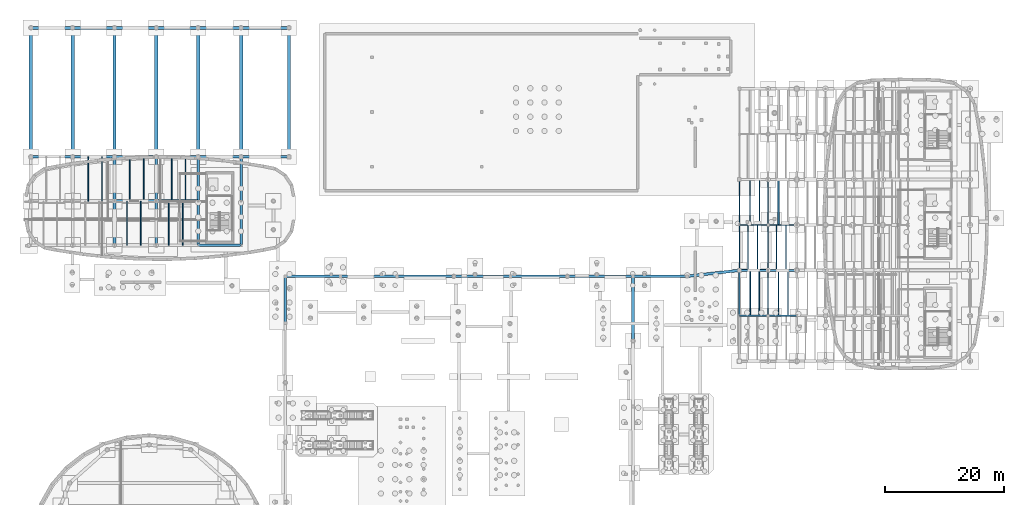
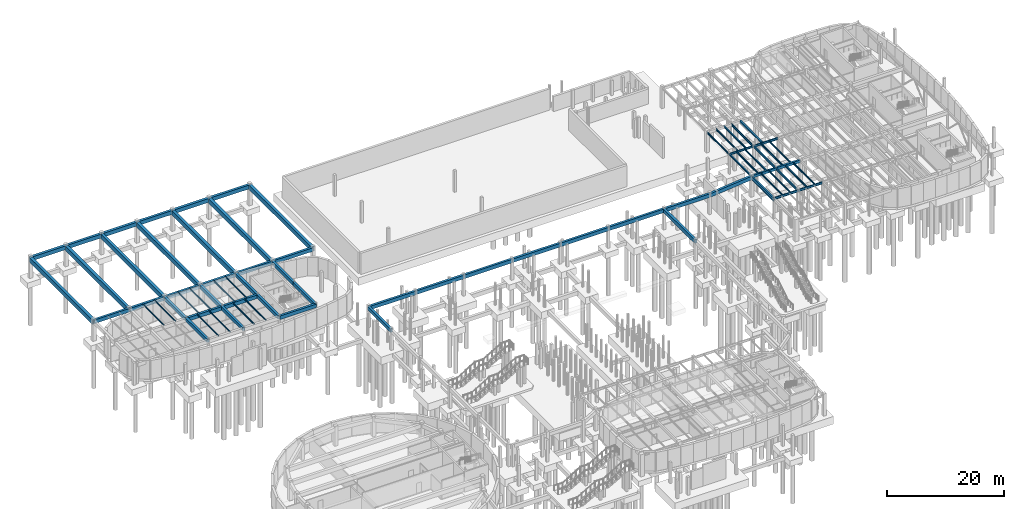
# One storey, part 28 of 45: 73 beams.
"""IFC4 building model written with IfcOpenShell, lengths in metres."""

from ifc_helpers import new_model, si_unit, direction, frame, origin, origin_2d, place, context, subcontext, project, spatial, rectangle, i_section, extrude, material, material_profile, profile_set, type_object, element, save


model = new_model("IFC4")

# Units and contexts
model_context = context("Model", 3, precision=1e-05, world=origin(), true_north=direction((0.0, 1.0)))
body_context = subcontext(model_context, "Body", "Model", "MODEL_VIEW")
ifc_project = project(units=[si_unit("LENGTHUNIT", "METRE"), si_unit("AREAUNIT", "SQUARE_METRE"), si_unit("VOLUMEUNIT", "CUBIC_METRE"), si_unit("PLANEANGLEUNIT", "RADIAN"), si_unit("MASSUNIT", "GRAM", prefix="KILO")], contexts=[model_context])

# Site, building, storey
site_placement = place(None, origin())
site = spatial("IfcSite", under=ifc_project, at=site_placement, CompositionType="ELEMENT")
building_placement = place(site_placement, origin())
building = spatial("IfcBuilding", under=site, at=building_placement, Name="Corveleigh Park Community Centre", CompositionType="ELEMENT")
storey_placement = place(building_placement, frame((0.0, 0.0, -4.199951171875)))
storey = spatial("IfcBuildingStorey", under=building, at=storey_placement, Name="B1", CompositionType="ELEMENT", Elevation=-4.199951171875)

# Beams
ifc_material_1 = material(Name="Concrete C40/50", Category="concrete")
ifc_material_profile_1 = material_profile(ifc_material_1, rectangle(XDim=0.25, YDim=0.39990234375, at=origin_2d()), Name="RC-250x400", Category="concrete")
ifc_profile_set_1 = profile_set([ifc_material_profile_1], Name="Concrete C40/50")
beam_type_1 = type_object("IfcBeamType", Name="BM-RC-250x400", PredefinedType="JOIST", material=ifc_profile_set_1)
beam_1_placement = place(storey_placement, frame((136.3759765625, 81.405029296875, 3.681884765625), z_axis=(0.0, 1.0, 0.0), x_axis=(-1.0, 0.0, 0.0)))
element("IfcBeam", 1, at=beam_1_placement, inside=storey, type_object=beam_type_1, Name="Secondary floor joist", PredefinedType="JOIST", context=body_context, shape_type="SweptSolid", body=[
    extrude(rectangle(XDim=0.25, YDim=0.39990234375, at=origin_2d()), origin(), (0.0, 0.0, 1.0), 7.590087890625),
])
ifc_material_profile_2 = material_profile(ifc_material_1, rectangle(XDim=0.324951171875, YDim=0.52490234375, at=origin_2d()), Name="RC-325x525", Category="concrete")
ifc_profile_set_2 = profile_set([ifc_material_profile_2], Name="Concrete C40/50")
beam_type_2 = type_object("IfcBeamType", Name="BM-RC-325x525", PredefinedType="BEAM", material=ifc_profile_set_2)
beam_2_placement = place(storey_placement, frame((129.804931640625, 73.800048828125, 3.619384765625), z_axis=(1.0, 0.0, 0.0), x_axis=(0.0, 1.0, 0.0)))
element("IfcBeam", 2, at=beam_2_placement, inside=storey, type_object=beam_type_2, Name="V4 Girder X", PredefinedType="BEAM", context=body_context, shape_type="SweptSolid", body=[
    extrude(rectangle(XDim=0.324951171875, YDim=0.52490234375, at=origin_2d()), origin(), (0.0, 0.0, 1.0), 4.7900390625),
])
ifc_material_profile_3 = material_profile(ifc_material_1, rectangle(XDim=0.35009765625, YDim=0.550048828125, at=origin_2d()), Name="RC-350x550", Category="concrete")
ifc_profile_set_3 = profile_set([ifc_material_profile_3], Name="Concrete C40/50")
beam_type_3 = type_object("IfcBeamType", Name="BM-RC-350x550", PredefinedType="BEAM", material=ifc_profile_set_3)
beam_3_placement = place(storey_placement, frame((134.60498046875, 73.800048828125, 3.60693359375), z_axis=(1.0, 0.0, 0.0), x_axis=(0.0, 1.0, 0.0)))
element("IfcBeam", 3, at=beam_3_placement, inside=storey, type_object=beam_type_3, Name="V4 Girder X", PredefinedType="BEAM", context=body_context, shape_type="SweptSolid", body=[
    extrude(rectangle(XDim=0.35009765625, YDim=0.550048828125, at=origin_2d()), origin(), (0.0, 0.0, 1.0), 4.7900390625),
])
ifc_material_profile_4 = material_profile(ifc_material_1, rectangle(XDim=0.449951171875, YDim=0.699951171875, at=origin_2d()), Name="RC-450x700", Category="concrete")
ifc_profile_set_4 = profile_set([ifc_material_profile_4], Name="Concrete C40/50")
beam_type_4 = type_object("IfcBeamType", Name="BM-RC-450x700", PredefinedType="BEAM", material=ifc_profile_set_4)
beam_4_placement = place(storey_placement, frame((25.199951171875, 78.0048828125, 3.531982421875), z_axis=(0.0, 1.0, 0.0), x_axis=(-1.0, 0.0, 0.0)))
element("IfcBeam", 4, at=beam_4_placement, inside=storey, type_object=beam_type_4, Name="V2 Studio Girder Y", PredefinedType="BEAM", context=body_context, shape_type="SweptSolid", body=[
    extrude(rectangle(XDim=0.449951171875, YDim=0.699951171875, at=origin_2d()), origin(), (0.0, 0.0, 1.0), 7.39013671875),
])
beam_5_placement = place(storey_placement, frame((25.199951171875, 85.405029296875, 3.531982421875), z_axis=(0.0, 1.0, 0.0), x_axis=(-1.0, 0.0, 0.0)))
element("IfcBeam", 5, at=beam_5_placement, inside=storey, type_object=beam_type_4, Name="V2 Studio Girder Y", PredefinedType="BEAM", context=body_context, shape_type="SweptSolid", body=[
    extrude(rectangle(XDim=0.449951171875, YDim=0.699951171875, at=origin_2d()), origin(), (0.0, 0.0, 1.0), 7.389892578125),
])
beam_6_placement = place(storey_placement, frame((32.199951171875, 78.0048828125, 3.531982421875), z_axis=(0.0, 1.0, 0.0), x_axis=(-1.0, 0.0, 0.0)))
element("IfcBeam", 6, at=beam_6_placement, inside=storey, type_object=beam_type_4, Name="V2 Studio Girder Y", PredefinedType="BEAM", context=body_context, shape_type="SweptSolid", body=[
    extrude(rectangle(XDim=0.449951171875, YDim=0.699951171875, at=origin_2d()), origin(), (0.0, 0.0, 1.0), 7.39013671875),
])
beam_7_placement = place(storey_placement, frame((32.199951171875, 85.405029296875, 3.531982421875), z_axis=(0.0, 1.0, 0.0), x_axis=(-1.0, 0.0, 0.0)))
element("IfcBeam", 7, at=beam_7_placement, inside=storey, type_object=beam_type_4, Name="V2 Studio Girder Y", PredefinedType="BEAM", context=body_context, shape_type="SweptSolid", body=[
    extrude(rectangle(XDim=0.449951171875, YDim=0.699951171875, at=origin_2d()), origin(), (0.0, 0.0, 1.0), 7.389892578125),
])
beam_8_placement = place(storey_placement, frame((39.199951171875, 78.0048828125, 3.531982421875), z_axis=(0.0, 1.0, 0.0), x_axis=(-1.0, 0.0, 0.0)))
element("IfcBeam", 8, at=beam_8_placement, inside=storey, type_object=beam_type_4, Name="V2 Studio Girder Y", PredefinedType="BEAM", context=body_context, shape_type="SweptSolid", body=[
    extrude(rectangle(XDim=0.449951171875, YDim=0.699951171875, at=origin_2d()), origin(), (0.0, 0.0, 1.0), 7.39013671875),
])
beam_9_placement = place(storey_placement, frame((39.199951171875, 85.405029296875, 3.531982421875), z_axis=(0.0, 1.0, 0.0), x_axis=(-1.0, 0.0, 0.0)))
element("IfcBeam", 9, at=beam_9_placement, inside=storey, type_object=beam_type_4, Name="V2 Studio Girder Y", PredefinedType="BEAM", context=body_context, shape_type="SweptSolid", body=[
    extrude(rectangle(XDim=0.449951171875, YDim=0.699951171875, at=origin_2d()), origin(), (0.0, 0.0, 1.0), 7.389892578125),
])
beam_10_placement = place(storey_placement, frame((46.39990234375, 78.0048828125, 3.531982421875), z_axis=(0.0, 1.0, 0.0), x_axis=(-1.0, 0.0, 0.0)))
element("IfcBeam", 10, at=beam_10_placement, inside=storey, type_object=beam_type_4, Name="V2 Studio Girder Y", PredefinedType="BEAM", context=body_context, shape_type="SweptSolid", body=[
    extrude(rectangle(XDim=0.449951171875, YDim=0.699951171875, at=origin_2d()), origin(), (0.0, 0.0, 1.0), 7.39013671875),
])
beam_11_placement = place(storey_placement, frame((46.39990234375, 85.405029296875, 3.531982421875), z_axis=(0.0, 1.0, 0.0), x_axis=(-1.0, 0.0, 0.0)))
element("IfcBeam", 11, at=beam_11_placement, inside=storey, type_object=beam_type_4, Name="V2 Studio Girder Y", PredefinedType="BEAM", context=body_context, shape_type="SweptSolid", body=[
    extrude(rectangle(XDim=0.449951171875, YDim=0.699951171875, at=origin_2d()), origin(), (0.0, 0.0, 1.0), 7.389892578125),
])
ifc_material_profile_5 = material_profile(ifc_material_1, rectangle(XDim=0.449951171875, YDim=0.75, at=origin_2d()), Name="RC-450x750", Category="concrete")
ifc_profile_set_5 = profile_set([ifc_material_profile_5], Name="Concrete C40/50")
beam_type_5 = type_object("IfcBeamType", Name="BM-RC-450x750", PredefinedType="BEAM", material=ifc_profile_set_5)
beam_12_placement = place(storey_placement, frame((39.205078125, 78.0, 3.5068359375), z_axis=(1.0, 0.0, 0.0), x_axis=(0.0, 1.0, 0.0)))
element("IfcBeam", 12, at=beam_12_placement, inside=storey, type_object=beam_type_5, Name="V2 Studio Girder X", PredefinedType="BEAM", context=body_context, shape_type="SweptSolid", body=[
    extrude(rectangle(XDim=0.449951171875, YDim=0.75, at=origin_2d()), origin(), (0.0, 0.0, 1.0), 7.18994140625),
])
for number, where, z_axis, x_axis, name in (
    (13, (25.205078125, 85.39990234375, 3.5068359375), (1.0, 0.0, 0.0), (0.0, 1.0, 0.0), "V2 Studio Girder X"),
    (14, (32.205078125, 85.39990234375, 3.5068359375), (1.0, 0.0, 0.0), (0.0, 1.0, 0.0), "V2 Studio Girder X"),
    (15, (11.205078125, 92.800048828125, 3.5068359375), (1.0, 0.0, 0.0), (0.0, 1.0, 0.0), "V2 Studio Girder X"),
    (16, (18.205078125, 92.800048828125, 3.5068359375), (1.0, 0.0, 0.0), (0.0, 1.0, 0.0), "V2 Studio Girder X"),
    (17, (25.205078125, 92.800048828125, 3.5068359375), (1.0, 0.0, 0.0), (0.0, 1.0, 0.0), "V2 Studio Girder X"),
    (18, (32.205078125, 92.800048828125, 3.5068359375), (1.0, 0.0, 0.0), (0.0, 1.0, 0.0), "V2 Studio Girder X"),
):
    element("IfcBeam", number, at=place(storey_placement, frame(where, z_axis=z_axis, x_axis=x_axis)), inside=storey, type_object=beam_type_5, Name=name, PredefinedType="BEAM", context=body_context, shape_type="SweptSolid", body=[
        extrude(rectangle(XDim=0.449951171875, YDim=0.75, at=origin_2d()), origin(), (0.0, 0.0, 1.0), 6.989990234375),
    ])
beam_13_placement = place(storey_placement, frame((39.205078125, 92.800048828125, 3.5068359375), z_axis=(1.0, 0.0, 0.0), x_axis=(0.0, 1.0, 0.0)))
element("IfcBeam", 19, at=beam_13_placement, inside=storey, type_object=beam_type_5, Name="V2 Studio Girder X", PredefinedType="BEAM", context=body_context, shape_type="SweptSolid", body=[
    extrude(rectangle(XDim=0.449951171875, YDim=0.75, at=origin_2d()), origin(), (0.0, 0.0, 1.0), 7.18994140625),
])
beam_14_placement = place(storey_placement, frame((46.405029296875, 92.800048828125, 3.5068359375), z_axis=(1.0, 0.0, 0.0), x_axis=(0.0, 1.0, 0.0)))
element("IfcBeam", 20, at=beam_14_placement, inside=storey, type_object=beam_type_5, Name="V2 Studio Girder X", PredefinedType="BEAM", context=body_context, shape_type="SweptSolid", body=[
    extrude(rectangle(XDim=0.449951171875, YDim=0.75, at=origin_2d()), origin(), (0.0, 0.0, 1.0), 7.989990234375),
])
beam_15_placement = place(storey_placement, frame((53.800048828125, 65.0048828125, 3.536865234375), z_axis=(0.0, 1.0, 0.0), x_axis=(-1.0, 0.0, 0.0)))
element("IfcBeam", 21, at=beam_15_placement, inside=storey, type_object=beam_type_5, Name="Campus Substructure Tie Girder", PredefinedType="BEAM", context=body_context, shape_type="SweptSolid", body=[
    extrude(rectangle(XDim=0.449951171875, YDim=0.75, at=origin_2d()), origin(), (0.0, 0.0, 1.0), 7.7900390625),
])
beam_16_placement = place(storey_placement, frame((53.804931640625, 72.800048828125, 3.536865234375), z_axis=(1.0, 0.0, 0.0), x_axis=(0.0, 1.0, 0.0)))
element("IfcBeam", 22, at=beam_16_placement, inside=storey, type_object=beam_type_5, Name="Campus Substructure Tie Girder", PredefinedType="BEAM", context=body_context, shape_type="SweptSolid", body=[
    extrude(rectangle(XDim=0.449951171875, YDim=0.75, at=origin_2d()), origin(), (0.0, 0.0, 1.0), 9.190185546875),
])
for number, where, z_axis, x_axis, name in (
    (23, (63.0048828125, 72.800048828125, 3.536865234375), (1.0, 0.0, 0.0), (0.0, 1.0, 0.0), "Campus Substructure Tie Girder"),
    (24, (72.5048828125, 72.800048828125, 3.536865234375), (1.0, 0.0, 0.0), (0.0, 1.0, 0.0), "Campus Substructure Tie Girder"),
    (25, (82.0048828125, 72.800048828125, 3.536865234375), (1.0, 0.0, 0.0), (0.0, 1.0, 0.0), "Campus Substructure Tie Girder"),
    (26, (91.5048828125, 72.800048828125, 3.536865234375), (1.0, 0.0, 0.0), (0.0, 1.0, 0.0), "Campus Substructure Tie Girder"),
):
    element("IfcBeam", number, at=place(storey_placement, frame(where, z_axis=z_axis, x_axis=x_axis)), inside=storey, type_object=beam_type_5, Name=name, PredefinedType="BEAM", context=body_context, shape_type="SweptSolid", body=[
        extrude(rectangle(XDim=0.449951171875, YDim=0.75, at=origin_2d()), origin(), (0.0, 0.0, 1.0), 9.490234375),
    ])
beam_17_placement = place(storey_placement, frame((101.0048828125, 72.800048828125, 3.536865234375), z_axis=(1.0, 0.0, 0.0), x_axis=(0.0, 1.0, 0.0)))
element("IfcBeam", 27, at=beam_17_placement, inside=storey, type_object=beam_type_5, Name="Campus Substructure Tie Girder", PredefinedType="BEAM", context=body_context, shape_type="SweptSolid", body=[
    extrude(rectangle(XDim=0.449951171875, YDim=0.75, at=origin_2d()), origin(), (0.0, 0.0, 1.0), 10.990234375),
])
beam_18_placement = place(storey_placement, frame((112.0048828125, 72.800048828125, 3.52685546875), z_axis=(1.0, 0.0, 0.0), x_axis=(0.0, 1.0, 0.0)))
element("IfcBeam", 28, at=beam_18_placement, inside=storey, type_object=beam_type_5, Name="Campus Substructure Tie Girder", PredefinedType="BEAM", context=body_context, shape_type="SweptSolid", body=[
    extrude(rectangle(XDim=0.449951171875, YDim=0.75, at=origin_2d()), origin(), (0.0, 0.0, 1.0), 8.990234375),
])
beam_19_placement = place(storey_placement, frame((121.0048828125, 72.800537109375, 3.5068359375), z_axis=(0.993606380579, 0.112899780662, 0.0), x_axis=(-0.112899780662, 0.993606380579, 0.0)))
element("IfcBeam", 29, at=beam_19_placement, inside=storey, type_object=beam_type_5, Name="Campus Substructure Tie Girder", PredefinedType="BEAM", context=body_context, shape_type="SweptSolid", body=[
    extrude(rectangle(XDim=0.449951171875, YDim=0.75, at=origin_2d()), origin(), (0.0, 0.0, 1.0), 8.8466796875),
])
beam_20_placement = place(storey_placement, frame((112.0, 72.794921875, 3.536865234375), z_axis=(0.0, -1.0, 0.0), x_axis=(1.0, 0.0, 0.0)))
element("IfcBeam", 30, at=beam_20_placement, inside=storey, type_object=beam_type_5, Name="Campus Substructure Tie Girder", PredefinedType="BEAM", context=body_context, shape_type="SweptSolid", body=[
    extrude(rectangle(XDim=0.449951171875, YDim=0.75, at=origin_2d()), origin(), (0.0, 0.0, 1.0), 10.7900390625),
])
ifc_material_profile_6 = material_profile(ifc_material_1, rectangle(XDim=0.5, YDim=0.800048828125, at=origin_2d()), Name="RC-500x800", Category="concrete")
ifc_profile_set_6 = profile_set([ifc_material_profile_6], Name="Concrete C40/50")
beam_type_6 = type_object("IfcBeamType", Name="BM-RC-500x800", PredefinedType="BEAM", material=ifc_profile_set_6)
for number, where, z_axis, x_axis, name in (
    (31, (11.205078125, 114.39990234375, 3.48193359375), (1.0, 0.0, 0.0), (0.0, 1.0, 0.0), "V2 North Hall Girder"),
    (32, (18.205078125, 114.39990234375, 3.48193359375), (1.0, 0.0, 0.0), (0.0, 1.0, 0.0), "V2 North Hall Girder"),
    (33, (25.205078125, 114.39990234375, 3.48193359375), (1.0, 0.0, 0.0), (0.0, 1.0, 0.0), "V2 North Hall Girder"),
    (34, (32.205078125, 114.39990234375, 3.48193359375), (1.0, 0.0, 0.0), (0.0, 1.0, 0.0), "V2 North Hall Girder"),
):
    element("IfcBeam", number, at=place(storey_placement, frame(where, z_axis=z_axis, x_axis=x_axis)), inside=storey, type_object=beam_type_6, Name=name, PredefinedType="BEAM", context=body_context, shape_type="SweptSolid", body=[
        extrude(rectangle(XDim=0.5, YDim=0.800048828125, at=origin_2d()), origin(), (0.0, 0.0, 1.0), 6.989990234375),
    ])
beam_21_placement = place(storey_placement, frame((39.205078125, 114.39990234375, 3.48193359375), z_axis=(1.0, 0.0, 0.0), x_axis=(0.0, 1.0, 0.0)))
element("IfcBeam", 35, at=beam_21_placement, inside=storey, type_object=beam_type_6, Name="V2 North Hall Girder", PredefinedType="BEAM", context=body_context, shape_type="SweptSolid", body=[
    extrude(rectangle(XDim=0.5, YDim=0.800048828125, at=origin_2d()), origin(), (0.0, 0.0, 1.0), 7.18994140625),
])
beam_22_placement = place(storey_placement, frame((46.405029296875, 114.39990234375, 3.48193359375), z_axis=(1.0, 0.0, 0.0), x_axis=(0.0, 1.0, 0.0)))
element("IfcBeam", 36, at=beam_22_placement, inside=storey, type_object=beam_type_6, Name="V2 North Hall Girder", PredefinedType="BEAM", context=body_context, shape_type="SweptSolid", body=[
    extrude(rectangle(XDim=0.5, YDim=0.800048828125, at=origin_2d()), origin(), (0.0, 0.0, 1.0), 7.989990234375),
])
ifc_material_profile_7 = material_profile(ifc_material_1, rectangle(XDim=0.550048828125, YDim=0.949951171875, at=origin_2d()), Name="RC-550x950", Category="concrete")
ifc_profile_set_7 = profile_set([ifc_material_profile_7], Name="Concrete C40/50")
beam_type_7 = type_object("IfcBeamType", Name="BM-RC-550x950", PredefinedType="BEAM", material=ifc_profile_set_7)
for number, where, z_axis, x_axis, name in (
    (37, (11.199951171875, 92.804931640625, 3.406982421875), (0.0, 1.0, 0.0), (-1.0, 0.0, 0.0), "V2 Hall Base Girder"),
    (38, (18.199951171875, 92.804931640625, 3.406982421875), (0.0, 1.0, 0.0), (-1.0, 0.0, 0.0), "V2 Hall Base Girder"),
    (39, (25.199951171875, 92.804931640625, 3.406982421875), (0.0, 1.0, 0.0), (-1.0, 0.0, 0.0), "V2 Hall Base Girder"),
    (40, (32.199951171875, 92.804931640625, 3.406982421875), (0.0, 1.0, 0.0), (-1.0, 0.0, 0.0), "V2 Hall Base Girder"),
    (41, (39.199951171875, 92.804931640625, 3.406982421875), (0.0, 1.0, 0.0), (-1.0, 0.0, 0.0), "V2 Hall Base Girder"),
    (42, (46.39990234375, 92.804931640625, 3.406982421875), (0.0, 1.0, 0.0), (-1.0, 0.0, 0.0), "V2 Hall Base Girder"),
    (43, (54.39990234375, 92.804931640625, 3.406982421875), (0.0, 1.0, 0.0), (-1.0, 0.0, 0.0), "V2 Hall Base Girder"),
):
    element("IfcBeam", number, at=place(storey_placement, frame(where, z_axis=z_axis, x_axis=x_axis)), inside=storey, type_object=beam_type_7, Name=name, PredefinedType="BEAM", context=body_context, shape_type="SweptSolid", body=[
        extrude(rectangle(XDim=0.550048828125, YDim=0.949951171875, at=origin_2d()), origin(), (0.0, 0.0, 1.0), 21.590087890625),
    ])
ifc_material_2 = material(Name="Steel S355", Category="steel")
ifc_material_profile_8 = material_profile(ifc_material_2, i_section(OverallWidth=0.1337890625, OverallDepth=0.206787109375, WebThickness=0.00634765625, FlangeThickness=0.009521484375, at=origin_2d()), Name="UKB 203x133x30", Category="steel")
ifc_profile_set_8 = profile_set([ifc_material_profile_8], Name="Steel S355")
beam_type_8 = type_object("IfcBeamType", Name="BM-STL-UKB203x30", PredefinedType="JOIST", material=ifc_profile_set_8)
for number, where, z_axis, x_axis, name in (
    (44, (20.7900390625, 85.405029296875, 3.778564453125), (0.0, 1.0, 0.0), (-1.0, 0.0, 0.0), "Secondary floor joist"),
    (45, (23.10009765625, 85.405029296875, 3.778564453125), (0.0, 1.0, 0.0), (-1.0, 0.0, 0.0), "Secondary floor joist"),
):
    element("IfcBeam", number, at=place(storey_placement, frame(where, z_axis=z_axis, x_axis=x_axis)), inside=storey, type_object=beam_type_8, Name=name, PredefinedType="JOIST", context=body_context, shape_type="SweptSolid", body=[
        extrude(i_section(OverallWidth=0.1337890625, OverallDepth=0.206787109375, WebThickness=0.00634765625, FlangeThickness=0.009521484375, at=origin_2d()), origin(), (0.0, 0.0, 1.0), 7.389892578125),
    ])
for number, where, z_axis, x_axis, name in (
    (46, (27.300048828125, 78.0048828125, 3.778564453125), (0.0, 1.0, 0.0), (-1.0, 0.0, 0.0), "Secondary floor joist"),
    (47, (29.610107421875, 78.0048828125, 3.778564453125), (0.0, 1.0, 0.0), (-1.0, 0.0, 0.0), "Secondary floor joist"),
):
    element("IfcBeam", number, at=place(storey_placement, frame(where, z_axis=z_axis, x_axis=x_axis)), inside=storey, type_object=beam_type_8, Name=name, PredefinedType="JOIST", context=body_context, shape_type="SweptSolid", body=[
        extrude(i_section(OverallWidth=0.1337890625, OverallDepth=0.206787109375, WebThickness=0.00634765625, FlangeThickness=0.009521484375, at=origin_2d()), origin(), (0.0, 0.0, 1.0), 7.39013671875),
    ])
ifc_material_profile_9 = material_profile(ifc_material_2, i_section(OverallWidth=0.14599609375, OverallDepth=0.25146484375, WebThickness=0.006103515625, FlangeThickness=0.008544921875, at=origin_2d()), Name="UKB 254x146x31", Category="steel")
ifc_profile_set_9 = profile_set([ifc_material_profile_9], Name="Steel S355")
beam_type_9 = type_object("IfcBeamType", Name="BM-STL-UKB254x31", PredefinedType="JOIST", material=ifc_profile_set_9)
for number, where, z_axis, x_axis, name in (
    (48, (27.7900390625, 85.405029296875, 3.75634765625), (0.0, 1.0, 0.0), (-1.0, 0.0, 0.0), "Secondary floor joist"),
    (49, (30.10009765625, 85.405029296875, 3.75634765625), (0.0, 1.0, 0.0), (-1.0, 0.0, 0.0), "Secondary floor joist"),
):
    element("IfcBeam", number, at=place(storey_placement, frame(where, z_axis=z_axis, x_axis=x_axis)), inside=storey, type_object=beam_type_9, Name=name, PredefinedType="JOIST", context=body_context, shape_type="SweptSolid", body=[
        extrude(i_section(OverallWidth=0.14599609375, OverallDepth=0.25146484375, WebThickness=0.006103515625, FlangeThickness=0.008544921875, at=origin_2d()), origin(), (0.0, 0.0, 1.0), 7.389892578125),
    ])
for number, where, z_axis, x_axis, name in (
    (50, (34.300048828125, 78.0048828125, 3.75634765625), (0.0, 1.0, 0.0), (-1.0, 0.0, 0.0), "Secondary floor joist"),
    (51, (36.610107421875, 78.0048828125, 3.75634765625), (0.0, 1.0, 0.0), (-1.0, 0.0, 0.0), "Secondary floor joist"),
):
    element("IfcBeam", number, at=place(storey_placement, frame(where, z_axis=z_axis, x_axis=x_axis)), inside=storey, type_object=beam_type_9, Name=name, PredefinedType="JOIST", context=body_context, shape_type="SweptSolid", body=[
        extrude(i_section(OverallWidth=0.14599609375, OverallDepth=0.25146484375, WebThickness=0.006103515625, FlangeThickness=0.008544921875, at=origin_2d()), origin(), (0.0, 0.0, 1.0), 7.39013671875),
    ])
ifc_material_profile_10 = material_profile(ifc_material_2, i_section(OverallWidth=0.146484375, OverallDepth=0.256103515625, WebThickness=0.00634765625, FlangeThickness=0.010986328125, at=origin_2d()), Name="UKB 254x146x37", Category="steel")
ifc_profile_set_10 = profile_set([ifc_material_profile_10], Name="Steel S355")
beam_type_10 = type_object("IfcBeamType", Name="BM-STL-UKB254x37", PredefinedType="JOIST", material=ifc_profile_set_10)
for number, where, z_axis, x_axis, name in (
    (52, (34.7900390625, 85.405029296875, 3.75390625), (0.0, 1.0, 0.0), (-1.0, 0.0, 0.0), "Secondary floor joist"),
    (53, (37.10009765625, 85.405029296875, 3.75390625), (0.0, 1.0, 0.0), (-1.0, 0.0, 0.0), "Secondary floor joist"),
):
    element("IfcBeam", number, at=place(storey_placement, frame(where, z_axis=z_axis, x_axis=x_axis)), inside=storey, type_object=beam_type_10, Name=name, PredefinedType="JOIST", context=body_context, shape_type="SweptSolid", body=[
        extrude(i_section(OverallWidth=0.146484375, OverallDepth=0.256103515625, WebThickness=0.00634765625, FlangeThickness=0.010986328125, at=origin_2d()), origin(), (0.0, 0.0, 1.0), 7.389892578125),
    ])
ifc_material_profile_11 = material_profile(ifc_material_2, i_section(OverallWidth=0.1669921875, OverallDepth=0.310302734375, WebThickness=0.0078125, FlangeThickness=0.013671875, at=origin_2d()), Name="UKB 305x165x54", Category="steel")
ifc_profile_set_11 = profile_set([ifc_material_profile_11], Name="Steel S355")
beam_type_11 = type_object("IfcBeamType", Name="BM-STL-UKB305x54", PredefinedType="JOIST", material=ifc_profile_set_11)
for number, where, z_axis, x_axis, name in (
    (54, (131.575927734375, 66.205078125, 3.726806640625), (0.0, 1.0, 0.0), (-1.0, 0.0, 0.0), "Secondary floor joist"),
    (55, (133.159912109375, 66.205078125, 3.726806640625), (0.0, 1.0, 0.0), (-1.0, 0.0, 0.0), "Secondary floor joist"),
):
    element("IfcBeam", number, at=place(storey_placement, frame(where, z_axis=z_axis, x_axis=x_axis)), inside=storey, type_object=beam_type_11, Name=name, PredefinedType="JOIST", context=body_context, shape_type="SweptSolid", body=[
        extrude(i_section(OverallWidth=0.1669921875, OverallDepth=0.310302734375, WebThickness=0.0078125, FlangeThickness=0.013671875, at=origin_2d()), origin(), (0.0, 0.0, 1.0), 7.58984375),
    ])
ifc_material_profile_12 = material_profile(ifc_material_2, i_section(OverallWidth=0.171142578125, OverallDepth=0.351318359375, WebThickness=0.007080078125, FlangeThickness=0.009765625, at=origin_2d()), Name="UKB 356x171x45", Category="steel")
ifc_profile_set_12 = profile_set([ifc_material_profile_12], Name="Steel S355")
beam_type_12 = type_object("IfcBeamType", Name="BM-STL-UKB356x45", PredefinedType="JOIST", material=ifc_profile_set_12)
for number, where, z_axis, x_axis, name in (
    (56, (131.239990234375, 73.804931640625, 3.706298828125), (0.0, 1.0, 0.0), (-1.0, 0.0, 0.0), "Secondary floor joist"),
    (57, (132.823974609375, 73.804931640625, 3.706298828125), (0.0, 1.0, 0.0), (-1.0, 0.0, 0.0), "Secondary floor joist"),
):
    element("IfcBeam", number, at=place(storey_placement, frame(where, z_axis=z_axis, x_axis=x_axis)), inside=storey, type_object=beam_type_12, Name=name, PredefinedType="JOIST", context=body_context, shape_type="SweptSolid", body=[
        extrude(i_section(OverallWidth=0.171142578125, OverallDepth=0.351318359375, WebThickness=0.007080078125, FlangeThickness=0.009765625, at=origin_2d()), origin(), (0.0, 0.0, 1.0), 7.590087890625),
    ])
for number, where, z_axis, x_axis, name in (
    (58, (136.3759765625, 66.205078125, 3.706298828125), (0.0, 1.0, 0.0), (-1.0, 0.0, 0.0), "Secondary floor joist"),
    (59, (137.9599609375, 66.205078125, 3.706298828125), (0.0, 1.0, 0.0), (-1.0, 0.0, 0.0), "Secondary floor joist"),
):
    element("IfcBeam", number, at=place(storey_placement, frame(where, z_axis=z_axis, x_axis=x_axis)), inside=storey, type_object=beam_type_12, Name=name, PredefinedType="JOIST", context=body_context, shape_type="SweptSolid", body=[
        extrude(i_section(OverallWidth=0.171142578125, OverallDepth=0.351318359375, WebThickness=0.007080078125, FlangeThickness=0.009765625, at=origin_2d()), origin(), (0.0, 0.0, 1.0), 7.58984375),
    ])
ifc_material_profile_13 = material_profile(ifc_material_2, i_section(OverallWidth=0.17138671875, OverallDepth=0.35498046875, WebThickness=0.00732421875, FlangeThickness=0.011474609375, at=origin_2d()), Name="UKB 356x171x51", Category="steel")
ifc_profile_set_13 = profile_set([ifc_material_profile_13], Name="Steel S355")
beam_type_13 = type_object("IfcBeamType", Name="BM-STL-UKB356x51", PredefinedType="JOIST", material=ifc_profile_set_13)
for number, where, z_axis, x_axis, name in (
    (60, (131.575927734375, 81.405029296875, 3.704345703125), (0.0, 1.0, 0.0), (-1.0, 0.0, 0.0), "Secondary floor joist"),
    (61, (133.159912109375, 81.405029296875, 3.704345703125), (0.0, 1.0, 0.0), (-1.0, 0.0, 0.0), "Secondary floor joist"),
    (62, (136.0400390625, 73.804931640625, 3.704345703125), (0.0, 1.0, 0.0), (-1.0, 0.0, 0.0), "Secondary floor joist"),
    (63, (137.6240234375, 73.804931640625, 3.704345703125), (0.0, 1.0, 0.0), (-1.0, 0.0, 0.0), "Secondary floor joist"),
):
    element("IfcBeam", number, at=place(storey_placement, frame(where, z_axis=z_axis, x_axis=x_axis)), inside=storey, type_object=beam_type_13, Name=name, PredefinedType="JOIST", context=body_context, shape_type="SweptSolid", body=[
        extrude(i_section(OverallWidth=0.17138671875, OverallDepth=0.35498046875, WebThickness=0.00732421875, FlangeThickness=0.011474609375, at=origin_2d()), origin(), (0.0, 0.0, 1.0), 7.590087890625),
    ])
ifc_material_profile_14 = material_profile(ifc_material_2, i_section(OverallWidth=0.172119140625, OverallDepth=0.35791015625, WebThickness=0.008056640625, FlangeThickness=0.012939453125, at=origin_2d()), Name="UKB 356x171x57", Category="steel")
ifc_profile_set_14 = profile_set([ifc_material_profile_14], Name="Steel S355")
beam_type_14 = type_object("IfcBeamType", Name="BM-STL-UKB356x57", PredefinedType="BEAM", material=ifc_profile_set_14)
beam_23_placement = place(storey_placement, frame((129.800048828125, 73.804931640625, 3.702880859375), z_axis=(0.0, 1.0, 0.0), x_axis=(-1.0, 0.0, 0.0)))
element("IfcBeam", 64, at=beam_23_placement, inside=storey, type_object=beam_type_14, Name="V4 Girder Y", PredefinedType="BEAM", context=body_context, shape_type="SweptSolid", body=[
    extrude(i_section(OverallWidth=0.172119140625, OverallDepth=0.35791015625, WebThickness=0.008056640625, FlangeThickness=0.012939453125, at=origin_2d()), origin(), (0.0, 0.0, 1.0), 7.590087890625),
])
ifc_material_profile_15 = material_profile(ifc_material_2, i_section(OverallWidth=0.173095703125, OverallDepth=0.36328125, WebThickness=0.009033203125, FlangeThickness=0.015625, at=origin_2d()), Name="UKB 356x171x67", Category="steel")
ifc_profile_set_15 = profile_set([ifc_material_profile_15], Name="Steel S355")
beam_type_15 = type_object("IfcBeamType", Name="BM-STL-UKB356x67", PredefinedType="BEAM", material=ifc_profile_set_15)
beam_24_placement = place(storey_placement, frame((129.800048828125, 81.405029296875, 3.7001953125), z_axis=(0.0, 1.0, 0.0), x_axis=(-1.0, 0.0, 0.0)))
element("IfcBeam", 65, at=beam_24_placement, inside=storey, type_object=beam_type_15, Name="V4 Girder Y", PredefinedType="BEAM", context=body_context, shape_type="SweptSolid", body=[
    extrude(i_section(OverallWidth=0.173095703125, OverallDepth=0.36328125, WebThickness=0.009033203125, FlangeThickness=0.015625, at=origin_2d()), origin(), (0.0, 0.0, 1.0), 7.590087890625),
])
ifc_material_profile_16 = material_profile(ifc_material_2, i_section(OverallWidth=0.179443359375, OverallDepth=0.412841796875, WebThickness=0.009521484375, FlangeThickness=0.01611328125, at=origin_2d()), Name="UKB 406x178x74", Category="steel")
ifc_profile_set_16 = profile_set([ifc_material_profile_16], Name="Steel S355")
beam_type_16 = type_object("IfcBeamType", Name="BM-STL-UKB406x74", PredefinedType="BEAM", material=ifc_profile_set_16)
beam_25_placement = place(storey_placement, frame((129.804931640625, 81.39990234375, 3.675537109375), z_axis=(1.0, 0.0, 0.0), x_axis=(0.0, 1.0, 0.0)))
element("IfcBeam", 66, at=beam_25_placement, inside=storey, type_object=beam_type_16, Name="V4 Girder X", PredefinedType="BEAM", context=body_context, shape_type="SweptSolid", body=[
    extrude(i_section(OverallWidth=0.179443359375, OverallDepth=0.412841796875, WebThickness=0.009521484375, FlangeThickness=0.01611328125, at=origin_2d()), origin(), (0.0, 0.0, 1.0), 4.7900390625),
])
ifc_material_profile_17 = material_profile(ifc_material_2, i_section(OverallWidth=0.18994140625, OverallDepth=0.453369140625, WebThickness=0.008544921875, FlangeThickness=0.0126953125, at=origin_2d()), Name="UKB 457x191x67", Category="steel")
ifc_profile_set_17 = profile_set([ifc_material_profile_17], Name="Steel S355")
beam_type_17 = type_object("IfcBeamType", Name="BM-STL-UKB457x67", PredefinedType="BEAM", material=ifc_profile_set_17)
beam_26_placement = place(storey_placement, frame((134.60498046875, 81.39990234375, 3.6552734375), z_axis=(1.0, 0.0, 0.0), x_axis=(0.0, 1.0, 0.0)))
element("IfcBeam", 67, at=beam_26_placement, inside=storey, type_object=beam_type_17, Name="V4 Girder X", PredefinedType="BEAM", context=body_context, shape_type="SweptSolid", body=[
    extrude(i_section(OverallWidth=0.18994140625, OverallDepth=0.453369140625, WebThickness=0.008544921875, FlangeThickness=0.0126953125, at=origin_2d()), origin(), (0.0, 0.0, 1.0), 4.7900390625),
])
beam_27_placement = place(storey_placement, frame((134.60009765625, 66.205078125, 3.6552734375), z_axis=(0.0, 1.0, 0.0), x_axis=(-1.0, 0.0, 0.0)))
element("IfcBeam", 68, at=beam_27_placement, inside=storey, type_object=beam_type_17, Name="V4 Girder Y", PredefinedType="BEAM", context=body_context, shape_type="SweptSolid", body=[
    extrude(i_section(OverallWidth=0.18994140625, OverallDepth=0.453369140625, WebThickness=0.008544921875, FlangeThickness=0.0126953125, at=origin_2d()), origin(), (0.0, 0.0, 1.0), 7.58984375),
])
ifc_material_profile_18 = material_profile(ifc_material_2, i_section(OverallWidth=0.1904296875, OverallDepth=0.45703125, WebThickness=0.009033203125, FlangeThickness=0.014404296875, at=origin_2d()), Name="UKB 457x191x74", Category="steel")
ifc_profile_set_18 = profile_set([ifc_material_profile_18], Name="Steel S355")
beam_type_18 = type_object("IfcBeamType", Name="BM-STL-UKB457x74", PredefinedType="BEAM", material=ifc_profile_set_18)
beam_28_placement = place(storey_placement, frame((134.60009765625, 73.804931640625, 3.653564453125), z_axis=(0.0, 1.0, 0.0), x_axis=(-1.0, 0.0, 0.0)))
element("IfcBeam", 69, at=beam_28_placement, inside=storey, type_object=beam_type_18, Name="V4 Girder Y", PredefinedType="BEAM", context=body_context, shape_type="SweptSolid", body=[
    extrude(i_section(OverallWidth=0.1904296875, OverallDepth=0.45703125, WebThickness=0.009033203125, FlangeThickness=0.014404296875, at=origin_2d()), origin(), (0.0, 0.0, 1.0), 7.590087890625),
])
ifc_material_profile_19 = material_profile(ifc_material_2, i_section(OverallWidth=0.19140625, OverallDepth=0.4599609375, WebThickness=0.010009765625, FlangeThickness=0.01611328125, at=origin_2d()), Name="UKB 457x191x82", Category="steel")
ifc_profile_set_19 = profile_set([ifc_material_profile_19], Name="Steel S355")
beam_type_19 = type_object("IfcBeamType", Name="BM-STL-UKB457x82", PredefinedType="BEAM", material=ifc_profile_set_19)
beam_29_placement = place(storey_placement, frame((129.804931640625, 66.199951171875, 3.65185546875), z_axis=(1.0, 0.0, 0.0), x_axis=(0.0, 1.0, 0.0)))
element("IfcBeam", 70, at=beam_29_placement, inside=storey, type_object=beam_type_19, Name="V4 Girder X", PredefinedType="BEAM", context=body_context, shape_type="SweptSolid", body=[
    extrude(i_section(OverallWidth=0.19140625, OverallDepth=0.4599609375, WebThickness=0.010009765625, FlangeThickness=0.01611328125, at=origin_2d()), origin(), (0.0, 0.0, 1.0), 4.7900390625),
])
beam_30_placement = place(storey_placement, frame((134.60009765625, 81.405029296875, 3.65185546875), z_axis=(0.0, 1.0, 0.0), x_axis=(-1.0, 0.0, 0.0)))
element("IfcBeam", 71, at=beam_30_placement, inside=storey, type_object=beam_type_19, Name="V4 Girder Y", PredefinedType="BEAM", context=body_context, shape_type="SweptSolid", body=[
    extrude(i_section(OverallWidth=0.19140625, OverallDepth=0.4599609375, WebThickness=0.010009765625, FlangeThickness=0.01611328125, at=origin_2d()), origin(), (0.0, 0.0, 1.0), 7.590087890625),
])
ifc_material_profile_20 = material_profile(ifc_material_2, i_section(OverallWidth=0.19189453125, OverallDepth=0.46337890625, WebThickness=0.010498046875, FlangeThickness=0.017578125, at=origin_2d()), Name="UKB 457x191x89", Category="steel")
ifc_profile_set_20 = profile_set([ifc_material_profile_20], Name="Steel S355")
beam_type_20 = type_object("IfcBeamType", Name="BM-STL-UKB457x89", PredefinedType="BEAM", material=ifc_profile_set_20)
beam_31_placement = place(storey_placement, frame((134.60498046875, 66.199951171875, 3.650146484375), z_axis=(1.0, 0.0, 0.0), x_axis=(0.0, 1.0, 0.0)))
element("IfcBeam", 72, at=beam_31_placement, inside=storey, type_object=beam_type_20, Name="V4 Girder X", PredefinedType="BEAM", context=body_context, shape_type="SweptSolid", body=[
    extrude(i_section(OverallWidth=0.19189453125, OverallDepth=0.46337890625, WebThickness=0.010498046875, FlangeThickness=0.017578125, at=origin_2d()), origin(), (0.0, 0.0, 1.0), 4.7900390625),
])
ifc_material_profile_21 = material_profile(ifc_material_2, i_section(OverallWidth=0.2666015625, OverallDepth=0.76220703125, WebThickness=0.014404296875, FlangeThickness=0.021484375, at=origin_2d()), Name="UKB 762x267x173", Category="steel")
ifc_profile_set_21 = profile_set([ifc_material_profile_21], Name="Steel S355")
beam_type_21 = type_object("IfcBeamType", Name="BM-STL-UKB762x173", PredefinedType="BEAM", material=ifc_profile_set_21)
beam_32_placement = place(storey_placement, frame((129.800048828125, 66.205078125, 3.500732421875), z_axis=(0.0, 1.0, 0.0), x_axis=(-1.0, 0.0, 0.0)))
element("IfcBeam", 73, at=beam_32_placement, inside=storey, type_object=beam_type_21, Name="V4 Girder Y", PredefinedType="BEAM", context=body_context, shape_type="SweptSolid", body=[
    extrude(i_section(OverallWidth=0.2666015625, OverallDepth=0.76220703125, WebThickness=0.014404296875, FlangeThickness=0.021484375, at=origin_2d()), origin(), (0.0, 0.0, 1.0), 7.58984375),
])

save(model, "model.ifc")
